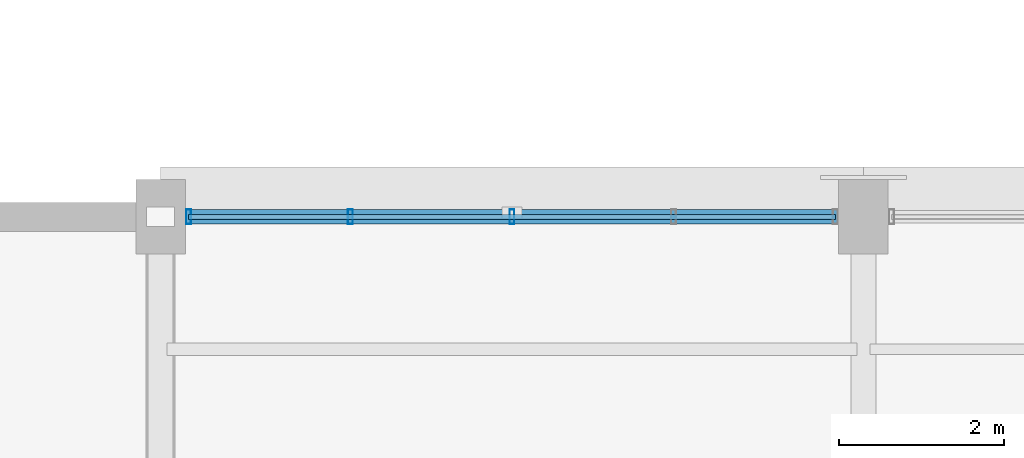
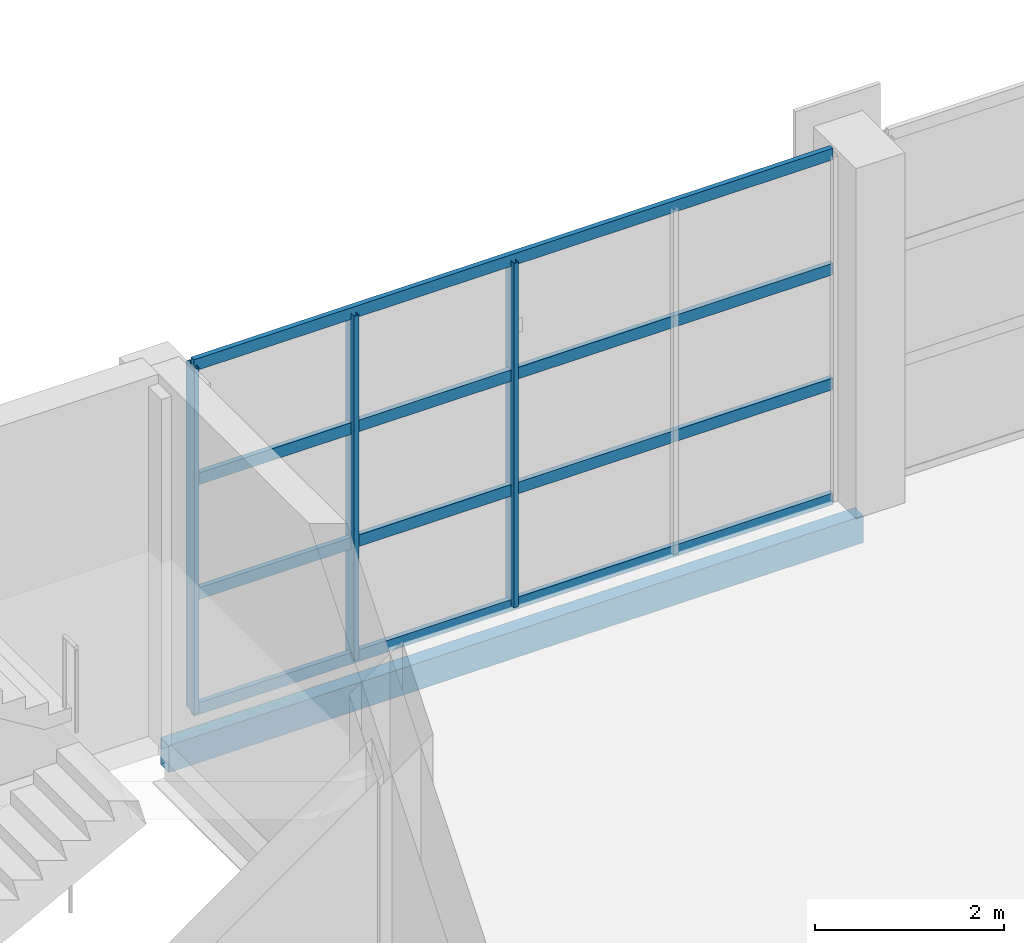
# One storey, part 26 of 86: 7 members, 1 beam, 1 element without a shape of its own.
"""IFC4 building model written with IfcOpenShell, lengths in metres."""

from ifc_helpers import new_model, si_unit, direction, frame, origin, origin_2d, place, context, subcontext, project, spatial, hollow_rectangle, extrude, material, material_profile, profile_set, type_object, element, aggregate, save


model = new_model("IFC4")

# Units and contexts
model_context = context("Model", 3, precision=1e-05, world=origin(), true_north=direction((0.0, 1.0)))
body_context = subcontext(model_context, "Body", "Model", "MODEL_VIEW")
ifc_project = project(units=[si_unit("LENGTHUNIT", "METRE"), si_unit("AREAUNIT", "SQUARE_METRE"), si_unit("VOLUMEUNIT", "CUBIC_METRE"), si_unit("PLANEANGLEUNIT", "RADIAN"), si_unit("MASSUNIT", "GRAM", prefix="KILO")], contexts=[model_context])

# Site, building, storey
site_placement = place(None, origin())
site = spatial("IfcSite", under=ifc_project, at=site_placement, CompositionType="ELEMENT")
building_placement = place(site_placement, origin())
building = spatial("IfcBuilding", under=site, at=building_placement, Name="Solvikara Media Centre", CompositionType="ELEMENT")
storey_placement = place(building_placement, frame((0.0, 0.0, 15.0)))
storey = spatial("IfcBuildingStorey", under=building, at=storey_placement, Name="L03", CompositionType="ELEMENT", Elevation=15.0)

# Beam
ifc_material_1 = material(Name="Steel S355JR", Category="steel")
ifc_material_profile_1 = material_profile(ifc_material_1, hollow_rectangle(XDim=0.175048828125, YDim=0.35009765625, WallThickness=0.010009765625, at=origin_2d()), Name="RHS 350x175x10")
ifc_profile_set_1 = profile_set([ifc_material_profile_1], Name="Steel S355JR")
beam_type = type_object("IfcBeamType", Name="BM-34", PredefinedType="SPANDREL", material=ifc_profile_set_1)
beam_placement = place(storey_placement, frame((42.5, 36.800048828125, -0.45703125), z_axis=(1.0, 0.0, 0.0), x_axis=(0.0, 1.0, 0.0)))
element("IfcBeam", 1, at=beam_placement, inside=storey, type_object=beam_type, Name="B-L03-X1186", PredefinedType="SPANDREL", context=body_context, shape_type="SweptSolid", body=[
    extrude(hollow_rectangle(XDim=0.175048828125, YDim=0.35009765625, WallThickness=0.010009765625, at=origin_2d()), origin(), (0.0, 0.0, 1.0), 8.5),
])

# Curtain wall, members
ifc_material_2 = material(Name="Anodised aluminium EN AW-6063", Category="aluminium")
curtain_wall_type = type_object("IfcCurtainWallType", Name="CW-05", PredefinedType="NOTDEFINED", material=ifc_material_2)
curtain_wall_placement = place(storey_placement, origin())
curtain_wall = element("IfcCurtainWall", 2, at=curtain_wall_placement, inside=storey, type_object=curtain_wall_type, Name="CW-L03-V6N-1", PredefinedType="NOTDEFINED")
ifc_material_profile_2 = material_profile(ifc_material_2, hollow_rectangle(XDim=0.06005859375, YDim=0.179931640625, WallThickness=0.00341796875, at=origin_2d()), Name="ALU-M 60x180x3.5")
ifc_profile_set_2 = profile_set([ifc_material_profile_2], Name="Anodised aluminium EN AW-6063")
member_type_1 = type_object("IfcMemberType", Name="MF-03", PredefinedType="MULLION", material=ifc_profile_set_2)
member_1_placement = place(storey_placement, frame((42.840087890625, 36.800048828125, 0.02001953125), z_axis=(0.0, 0.0, 1.0), x_axis=(1.0, 0.0, 0.0)))
member_1 = element("IfcMember", 3, at=member_1_placement, type_object=member_type_1, Name="CW-L03-V6N-1-M00", PredefinedType="MULLION", context=body_context, shape_type="SweptSolid", body=[
    extrude(hollow_rectangle(XDim=0.06005859375, YDim=0.179931640625, WallThickness=0.00341796875, at=origin_2d()), origin(), (0.0, 0.0, 1.0), 4.4599609375),
])
member_2_placement = place(storey_placement, frame((44.794921875, 36.800048828125, 0.02001953125), z_axis=(0.0, 0.0, 1.0), x_axis=(1.0, 0.0, 0.0)))
member_2 = element("IfcMember", 4, at=member_2_placement, type_object=member_type_1, Name="CW-L03-V6N-1-M01", PredefinedType="MULLION", context=body_context, shape_type="SweptSolid", body=[
    extrude(hollow_rectangle(XDim=0.06005859375, YDim=0.179931640625, WallThickness=0.00341796875, at=origin_2d()), origin(), (0.0, 0.0, 1.0), 4.4599609375),
])
member_3_placement = place(storey_placement, frame((46.75, 36.800048828125, 0.02001953125), z_axis=(0.0, 0.0, 1.0), x_axis=(1.0, 0.0, 0.0)))
member_3 = element("IfcMember", 5, at=member_3_placement, type_object=member_type_1, Name="CW-L03-V6N-1-M02", PredefinedType="MULLION", context=body_context, shape_type="SweptSolid", body=[
    extrude(hollow_rectangle(XDim=0.06005859375, YDim=0.179931640625, WallThickness=0.00341796875, at=origin_2d()), origin(), (0.0, 0.0, 1.0), 4.4599609375),
])
ifc_material_profile_3 = material_profile(ifc_material_2, hollow_rectangle(XDim=0.06005859375, YDim=0.14990234375, WallThickness=0.0029296875, at=origin_2d()), Name="ALU-T 60x150x3")
ifc_profile_set_3 = profile_set([ifc_material_profile_3], Name="Anodised aluminium EN AW-6063")
member_type_2 = type_object("IfcMemberType", Name="MF-09", PredefinedType="USERDEFINED", material=ifc_profile_set_3)
member_4_placement = place(storey_placement, frame((42.840087890625, 36.800048828125, 0.02001953125), z_axis=(1.0, 0.0, 0.0), x_axis=(0.0, 1.0, 0.0)))
member_4 = element("IfcMember", 6, at=member_4_placement, type_object=member_type_2, Name="CW-L03-V6N-1-T00", ObjectType="TRANSOM", PredefinedType="USERDEFINED", context=body_context, shape_type="SweptSolid", body=[
    extrude(hollow_rectangle(XDim=0.06005859375, YDim=0.14990234375, WallThickness=0.0029296875, at=origin_2d()), origin(), (0.0, 0.0, 1.0), 7.81982421875),
])
member_5_placement = place(storey_placement, frame((42.840087890625, 36.800048828125, 1.507080078125), z_axis=(1.0, 0.0, 0.0), x_axis=(0.0, 1.0, 0.0)))
member_5 = element("IfcMember", 7, at=member_5_placement, type_object=member_type_2, Name="CW-L03-V6N-1-T01", ObjectType="TRANSOM", PredefinedType="USERDEFINED", context=body_context, shape_type="SweptSolid", body=[
    extrude(hollow_rectangle(XDim=0.06005859375, YDim=0.14990234375, WallThickness=0.0029296875, at=origin_2d()), origin(), (0.0, 0.0, 1.0), 7.81982421875),
])
member_6_placement = place(storey_placement, frame((42.840087890625, 36.800048828125, 2.992919921875), z_axis=(1.0, 0.0, 0.0), x_axis=(0.0, 1.0, 0.0)))
member_6 = element("IfcMember", 8, at=member_6_placement, type_object=member_type_2, Name="CW-L03-V6N-1-T02", ObjectType="TRANSOM", PredefinedType="USERDEFINED", context=body_context, shape_type="SweptSolid", body=[
    extrude(hollow_rectangle(XDim=0.06005859375, YDim=0.14990234375, WallThickness=0.0029296875, at=origin_2d()), origin(), (0.0, 0.0, 1.0), 7.81982421875),
])
member_7_placement = place(storey_placement, frame((42.840087890625, 36.800048828125, 4.47998046875), z_axis=(1.0, 0.0, 0.0), x_axis=(0.0, 1.0, 0.0)))
member_7 = element("IfcMember", 9, at=member_7_placement, type_object=member_type_2, Name="CW-L03-V6N-1-T03", ObjectType="TRANSOM", PredefinedType="USERDEFINED", context=body_context, shape_type="SweptSolid", body=[
    extrude(hollow_rectangle(XDim=0.06005859375, YDim=0.14990234375, WallThickness=0.0029296875, at=origin_2d()), origin(), (0.0, 0.0, 1.0), 7.81982421875),
])
aggregate(curtain_wall, [member_1, member_2, member_3, member_4, member_5, member_6, member_7])

save(model, "model.ifc")
